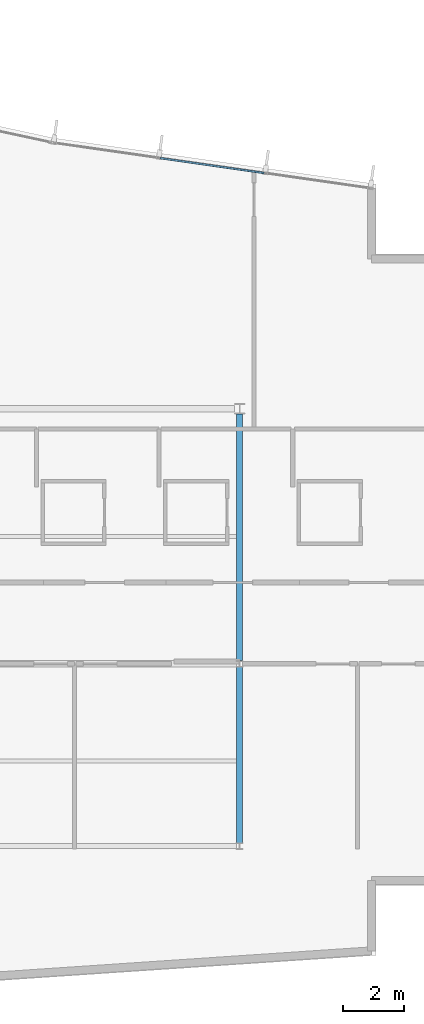
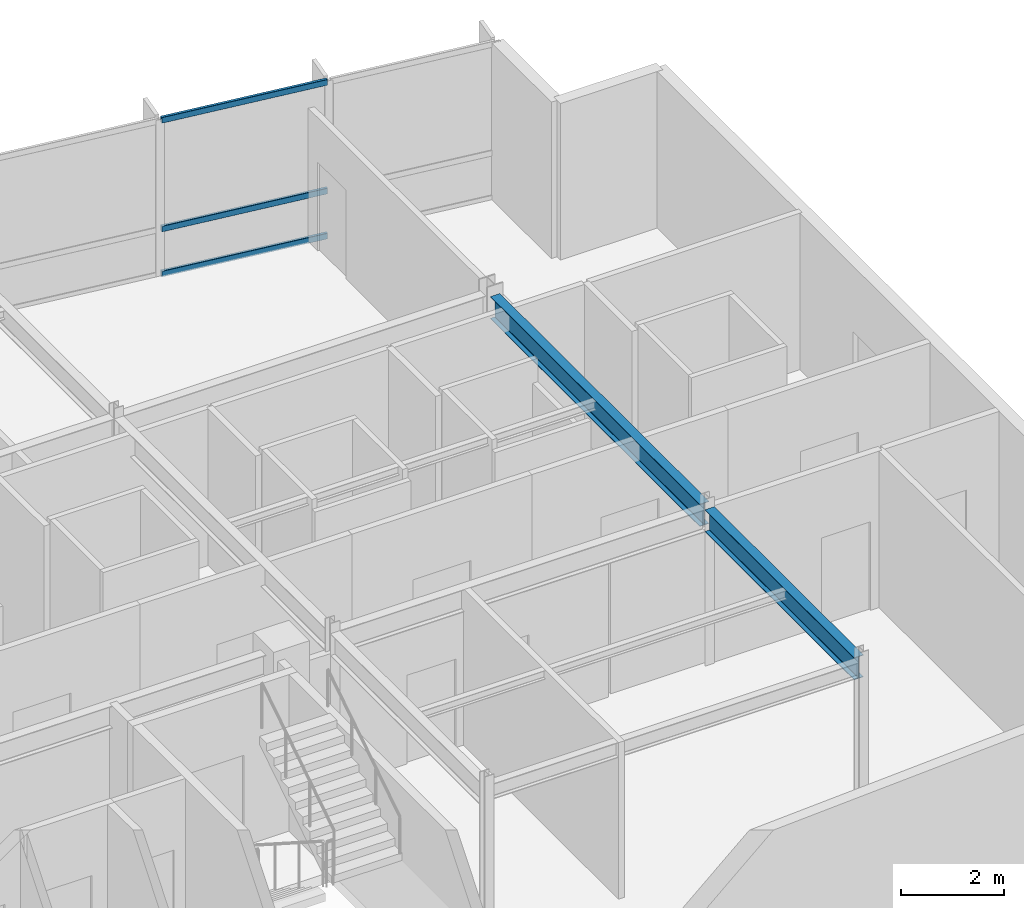
# One storey, part 7 of 16: 3 members, 2 beams, 1 element without a shape of its own.
"""IFC4 building model written with IfcOpenShell, lengths in metres."""

from ifc_helpers import new_model, si_unit, direction, frame, origin, origin_2d, place, context, subcontext, project, spatial, hollow_rectangle, i_section, extrude, material, layer, layer_set, material_profile, profile_set, type_object, element, aggregate, save


model = new_model("IFC4")

# Units and contexts
model_context = context("Model", 3, precision=1e-05, world=origin(), true_north=direction((0.0, 1.0)))
body_context = subcontext(model_context, "Body", "Model", "MODEL_VIEW")
ifc_project = project(units=[si_unit("LENGTHUNIT", "METRE"), si_unit("AREAUNIT", "SQUARE_METRE"), si_unit("VOLUMEUNIT", "CUBIC_METRE"), si_unit("PLANEANGLEUNIT", "RADIAN"), si_unit("MASSUNIT", "GRAM", prefix="KILO")], contexts=[model_context])

# Site, building, storey
site_placement = place(None, origin())
site = spatial("IfcSite", under=ifc_project, at=site_placement, CompositionType="ELEMENT")
building_placement = place(site_placement, origin())
building = spatial("IfcBuilding", under=site, at=building_placement, Name="Varnakote Quay Hospital", CompositionType="ELEMENT")
storey_placement = place(building_placement, frame((0.0, 0.0, 296.050048828125)))
storey = spatial("IfcBuildingStorey", under=building, at=storey_placement, Name="L73", CompositionType="ELEMENT", Elevation=296.050048828125)

# Beams
ifc_material_1 = material(Name="Structural steel AS/NZS 3679.1 Grade 350 L0 (fy 340 MPa)", Category="steel")
ifc_material_profile_1 = material_profile(ifc_material_1, i_section(OverallWidth=0.208984375, OverallDepth=0.528076171875, WebThickness=0.009521484375, FlangeThickness=0.01318359375, FilletRadius=0.013916015625, at=origin_2d()), Name="530UB82.0")
ifc_profile_set_1 = profile_set([ifc_material_profile_1], Name="Structural steel AS/NZS 3679.1 Grade 350 L0 (fy 340 MPa)")
beam_type = type_object("IfcBeamType", Name="BM-STL-530UB82-0", PredefinedType="BEAM", material=ifc_profile_set_1)
beam_1_placement = place(storey_placement, frame((33.60009765625, 6.10498046875, 3.446044921875), z_axis=(0.0, 1.0, 0.0), x_axis=(-1.0, 0.0, 0.0)))
element("IfcBeam", 1, at=beam_1_placement, inside=storey, type_object=beam_type, Name="L73 Primary Tie Beam", PredefinedType="BEAM", context=body_context, shape_type="SweptSolid", body=[
    extrude(i_section(OverallWidth=0.208984375, OverallDepth=0.528076171875, WebThickness=0.009521484375, FlangeThickness=0.01318359375, FilletRadius=0.013916015625, at=origin_2d()), origin(), (0.0, 0.0, 1.0), 5.7900390625),
])
beam_2_placement = place(storey_placement, frame((33.60009765625, 12.10498046875, 3.446044921875), z_axis=(0.0, 1.0, 0.0), x_axis=(-1.0, 0.0, 0.0)))
element("IfcBeam", 2, at=beam_2_placement, inside=storey, type_object=beam_type, Name="L73 Primary Tie Beam", PredefinedType="BEAM", context=body_context, shape_type="SweptSolid", body=[
    extrude(i_section(OverallWidth=0.208984375, OverallDepth=0.528076171875, WebThickness=0.009521484375, FlangeThickness=0.01318359375, FilletRadius=0.013916015625, at=origin_2d()), origin(), (0.0, 0.0, 1.0), 8.125),
])

# Curtain wall, members
ifc_material_2 = material(Name="Anodised aluminium 6063-T6 Bronze", Category="aluminium")
ifc_layer = layer(ifc_material_2, 0.235107421875)
ifc_layer_set = layer_set([ifc_layer], Name="Anodised aluminium 6063-T6 Bronze")
curtain_wall_type = type_object("IfcCurtainWallType", Name="CW-SYS-5", PredefinedType="NOTDEFINED", material=ifc_layer_set)
curtain_wall_placement = place(storey_placement, origin())
curtain_wall = element("IfcCurtainWall", 3, at=curtain_wall_placement, inside=storey, type_object=curtain_wall_type, Name="L73 Unitised Bronze Curtain Wall 1", PredefinedType="NOTDEFINED")
ifc_material_3 = material(Name="Anodised aluminium 6063-T6 Bronze", Category="aluminium")
ifc_material_profile_2 = material_profile(ifc_material_3, hollow_rectangle(XDim=0.06494140625, YDim=0.139892578125, WallThickness=0.00390625, InnerFilletRadius=0.00390625, OuterFilletRadius=0.007568359375, at=origin_2d()), Name="CW-TRAN-140x65")
ifc_profile_set_2 = profile_set([ifc_material_profile_2], Name="Anodised aluminium 6063-T6 Bronze")
member_type = type_object("IfcMemberType", Name="CW-TRAN-140x65", PredefinedType="USERDEFINED", material=ifc_profile_set_2)
member_1_placement = place(storey_placement, frame((34.4091796875, 28.166259765625, 0.032470703125), z_axis=(-0.989926963581, 0.141578977163, 0.0), x_axis=(-0.141578977163, -0.989926963581, 0.0)))
member_1 = element("IfcMember", 4, at=member_1_placement, type_object=member_type, Name="-5-L73-1 transom 2.1", ObjectType="TRANSOM", PredefinedType="USERDEFINED", context=body_context, shape_type="SweptSolid", body=[
    extrude(hollow_rectangle(XDim=0.06494140625, YDim=0.139892578125, WallThickness=0.00390625, InnerFilletRadius=0.00390625, OuterFilletRadius=0.007568359375, at=origin_2d()), origin(), (0.0, 0.0, 1.0), 3.469482421875),
])
member_2_placement = place(storey_placement, frame((34.4091796875, 28.166259765625, 1.099853515625), z_axis=(-0.989926963581, 0.141578977163, 0.0), x_axis=(-0.141578977163, -0.989926963581, 0.0)))
member_2 = element("IfcMember", 5, at=member_2_placement, type_object=member_type, Name="-5-L73-1 transom 2.2", ObjectType="TRANSOM", PredefinedType="USERDEFINED", context=body_context, shape_type="SweptSolid", body=[
    extrude(hollow_rectangle(XDim=0.06494140625, YDim=0.139892578125, WallThickness=0.00390625, InnerFilletRadius=0.00390625, OuterFilletRadius=0.007568359375, at=origin_2d()), origin(), (0.0, 0.0, 1.0), 3.469482421875),
])
member_3_placement = place(storey_placement, frame((34.4091796875, 28.166259765625, 3.677490234375), z_axis=(-0.989926963581, 0.141578977163, 0.0), x_axis=(-0.141578977163, -0.989926963581, 0.0)))
member_3 = element("IfcMember", 6, at=member_3_placement, type_object=member_type, Name="-5-L73-1 transom 2.3", ObjectType="TRANSOM", PredefinedType="USERDEFINED", context=body_context, shape_type="SweptSolid", body=[
    extrude(hollow_rectangle(XDim=0.06494140625, YDim=0.139892578125, WallThickness=0.00390625, InnerFilletRadius=0.00390625, OuterFilletRadius=0.007568359375, at=origin_2d()), origin(), (0.0, 0.0, 1.0), 3.469482421875),
])
aggregate(curtain_wall, [member_1, member_2, member_3])

save(model, "model.ifc")
